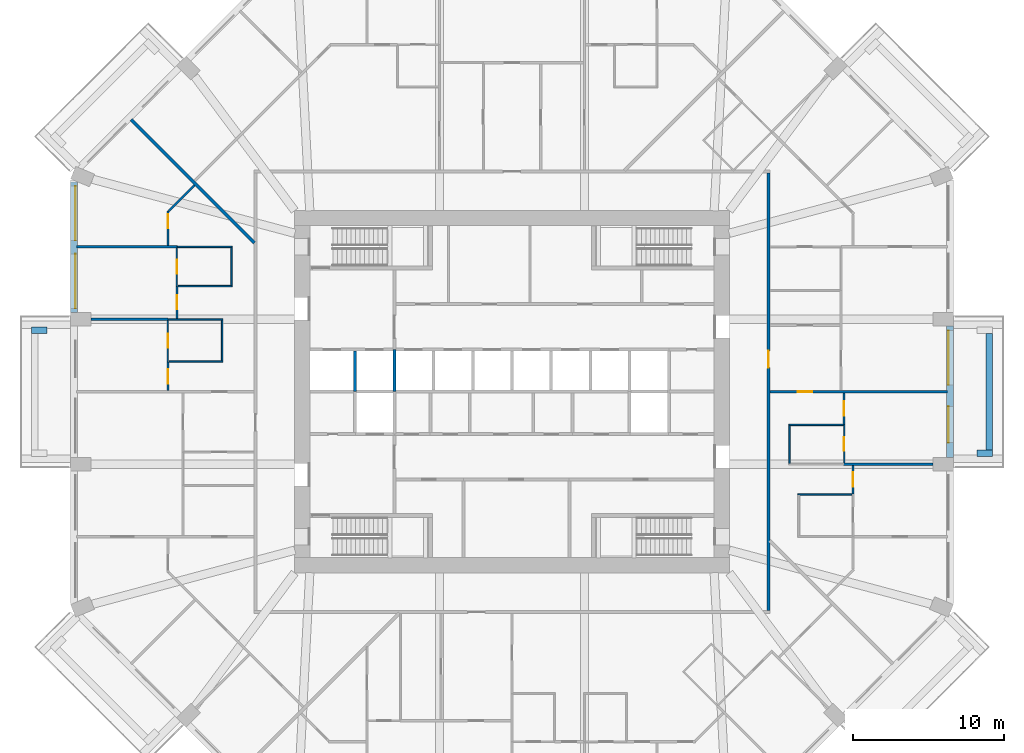
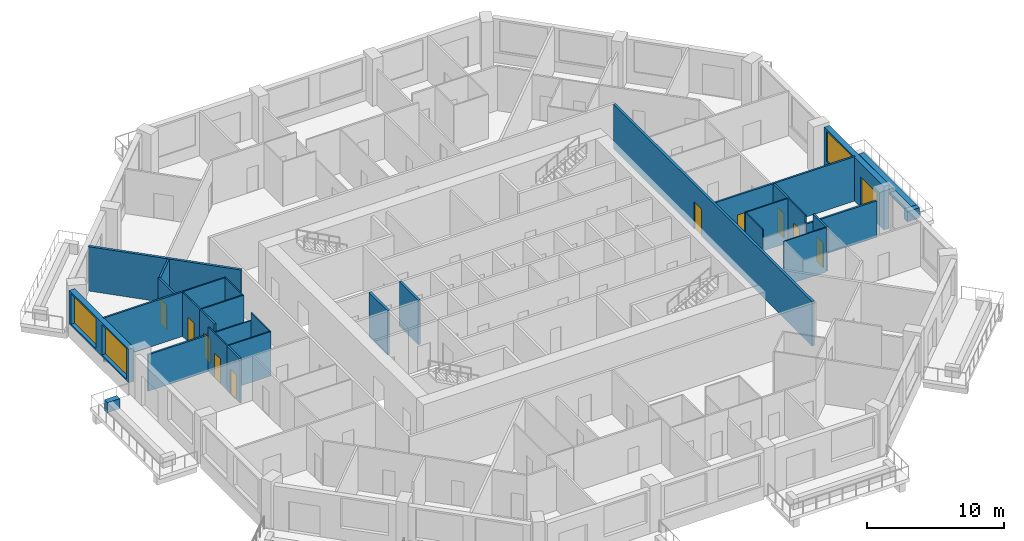
# One storey, part 7 of 13: 31 walls, 11 doors, 3 windows, 14 openings.
"""IFC4 building model written with IfcOpenShell, lengths in metres."""

from ifc_helpers import new_model, si_unit, direction, frame, frame_2d, origin, place, context, subcontext, project, spatial, rectangle, extrude, material, layer, layer_set, type_object, element, fill, save


model = new_model("IFC4")

# Units and contexts
model_context = context("Model", 3, precision=1e-05, world=origin(), true_north=direction((0.0, 1.0)))
body_context = subcontext(model_context, "Body", "Model", "MODEL_VIEW")
ifc_project = project(units=[si_unit("LENGTHUNIT", "METRE"), si_unit("AREAUNIT", "SQUARE_METRE"), si_unit("VOLUMEUNIT", "CUBIC_METRE"), si_unit("PLANEANGLEUNIT", "RADIAN"), si_unit("MASSUNIT", "GRAM", prefix="KILO")], contexts=[model_context])

# Site, building, storey
site_placement = place(None, origin())
site = spatial("IfcSite", under=ifc_project, at=site_placement, CompositionType="ELEMENT")
building_placement = place(site_placement, origin())
building = spatial("IfcBuilding", under=site, at=building_placement, Name="Msitu Wima Residences", CompositionType="ELEMENT")
storey_placement = place(building_placement, frame((0.0, 0.0, 71.699951171875)))
storey = spatial("IfcBuildingStorey", under=building, at=storey_placement, Name="L16", CompositionType="ELEMENT", Elevation=71.699951171875)

# Walls
ifc_material_1 = material(Name="Facing brick")
ifc_layer_1 = layer(ifc_material_1, 0.06494140625, Name="Facing brick")
ifc_material_2 = material(Name="Concrete C40/50", Category="concrete")
ifc_layer_2 = layer(ifc_material_2, 0.156005859375, Name="Concrete C40/50")
ifc_material_3 = material(Name="Waterproofing membrane")
ifc_layer_3 = layer(ifc_material_3, 0.00390625, Name="Waterproofing membrane")
ifc_material_4 = material(Name="Planting soil and planting")
ifc_layer_4 = layer(ifc_material_4, 0.22509765625, Name="Planting soil and planting")
ifc_layer_set_1 = layer_set([ifc_layer_1, ifc_layer_2, ifc_layer_3, ifc_layer_4], Name="Concrete C40/50")
wall_type_1 = type_object("IfcWallType", Name="Balcony planter PLANTER PL450", PredefinedType="USERDEFINED", material=ifc_layer_set_1)
wall_1_placement = place(storey_placement, frame((31.625, -3.85009765625, 0.0), z_axis=(0.0, 0.0, 1.0), x_axis=(0.0, 1.0, 0.0)))
element("IfcWall", 1, at=wall_1_placement, inside=storey, type_object=wall_type_1, Name="Balcony planter E1 L16", ObjectType="PLANTER", PredefinedType="USERDEFINED", context=body_context, shape_type="SweptSolid", body=[
    extrude(rectangle(XDim=7.7001953125, YDim=0.449951171875, at=frame_2d((3.85009765625, 0.0))), origin(), (0.0, 0.0, 1.0), 0.900146484375),
])
for number, where, z_axis, x_axis, name in (
    (2, (30.800048828125, -4.074951171875, 0.0), (0.0, 0.0, 1.0), (1.0, 0.0, 0.0), "Balcony planter E1 L16"),
    (3, (-30.800048828125, 4.074951171875, 0.0), (0.0, 0.0, 1.0), (-1.0, 0.0, 0.0), "Balcony planter W1 L16"),
):
    element("IfcWall", number, at=place(storey_placement, frame(where, z_axis=z_axis, x_axis=x_axis)), inside=storey, type_object=wall_type_1, Name=name, ObjectType="PLANTER", PredefinedType="USERDEFINED", context=body_context, shape_type="SweptSolid", body=[
        extrude(rectangle(XDim=1.050048828125, YDim=0.449951171875, at=frame_2d((0.52490234375, 0.0))), origin(), (0.0, 0.0, 1.0), 0.900146484375),
    ])

# Wall, openings, door, window
ifc_material_5 = material(Name="Brick (red buff mix)", Category="masonry")
ifc_layer_5 = layer(ifc_material_5, 0.449951171875)
ifc_layer_set_2 = layer_set([ifc_layer_5], Name="Brick (red buff mix)")
wall_type_2 = type_object("IfcWallType", Name="Brick infill wall BW450", PredefinedType="SOLIDWALL", material=ifc_layer_set_2)
wall_2_placement = place(storey_placement, frame((29.02490234375, -4.35009765625, 0.0), z_axis=(0.0, 0.0, 1.0), x_axis=(0.0, 1.0, 0.0)))
wall_2 = element("IfcWall", 4, at=wall_2_placement, inside=storey, type_object=wall_type_2, Name="Brick infill wall L16 E1", PredefinedType="SOLIDWALL", context=body_context, shape_type="SweptSolid", body=[
    extrude(rectangle(XDim=8.7001953125, YDim=0.449951171875, at=frame_2d((4.35009765625, 0.0))), origin(), (0.0, 0.0, 1.0), 3.900146484375),
])
opening_1_placement = place(wall_2_placement, frame((0.97509765625, 0.0, 0.0)))
opening_1 = element("IfcOpeningElement", 5, at=opening_1_placement, cuts=wall_2, Name="Opening D16-17.001", PredefinedType="OPENING", context=body_context, shape_type="SweptSolid", body=[
    extrude(rectangle(XDim=2.39990234375, YDim=2.699951171875, at=frame_2d((1.199951171875, 1.35009765625))), frame((0.0, 0.23486328125, 0.0), z_axis=(0.0, -1.0, 0.0), x_axis=(1.0, 0.0, 0.0)), (0.0, 0.0, 1.0), 0.469970703125),
])
opening_2_placement = place(wall_2_placement, frame((4.800048828125, 0.0, 1.050048828125)))
opening_2 = element("IfcOpeningElement", 6, at=opening_2_placement, cuts=wall_2, Name="Opening W16-17.003", PredefinedType="OPENING", context=body_context, shape_type="SweptSolid", body=[
    extrude(rectangle(XDim=3.60009765625, YDim=2.699951171875, at=frame_2d((1.800048828125, 1.35009765625))), frame((0.0, 0.23486328125, 0.0), z_axis=(0.0, -1.0, 0.0), x_axis=(1.0, 0.0, 0.0)), (0.0, 0.0, 1.0), 0.469970703125),
])
ifc_material_6 = material(Name="Anodised aluminium, bronze finish, clear low-emissivity double glazing", Category="aluminium")
door_type_1 = type_object("IfcDoorType", Name="Balcony door D2400x2700", OperationType="SLIDING_TO_LEFT", PredefinedType="DOOR", material=ifc_material_6)
door_1_placement = place(opening_1_placement, origin())
door_1 = element("IfcDoor", 7, at=door_1_placement, inside=storey, type_object=door_type_1, Name="Balcony door L16 E1", OperationType="SINGLE_SWING_LEFT", OverallHeight=2.699951171875, OverallWidth=2.39990234375, PredefinedType="DOOR", context=body_context, shape_type="SweptSolid", body=[
    extrude(rectangle(XDim=2.39990234375, YDim=2.699951171875, at=frame_2d((1.199951171875, 1.35009765625))), frame((0.0, 0.1298828125, 0.0), z_axis=(0.0, -1.0, 0.0), x_axis=(1.0, 0.0, 0.0)), (0.0, 0.0, 1.0), 0.050048828125),
])
fill(opening_1, door_1)
window_type = type_object("IfcWindowType", Name="Window W3600x2700", PartitioningType="DOUBLE_PANEL_VERTICAL", PredefinedType="WINDOW", material=ifc_material_6)
window_1_placement = place(opening_2_placement, origin())
window_1 = element("IfcWindow", 8, at=window_1_placement, inside=storey, type_object=window_type, Name="Window L16 E1.2", OverallHeight=2.699951171875, OverallWidth=3.60009765625, PartitioningType="SINGLE_PANEL", PredefinedType="WINDOW", context=body_context, shape_type="SweptSolid", body=[
    extrude(rectangle(XDim=3.60009765625, YDim=2.699951171875, at=frame_2d((1.800048828125, 1.35009765625))), frame((0.0, 0.135009765625, 0.0), z_axis=(0.0, -1.0, 0.0), x_axis=(1.0, 0.0, 0.0)), (0.0, 0.0, 1.0), 0.06005859375),
])
fill(opening_2, window_1)

# Wall, openings, windows
wall_3_placement = place(storey_placement, frame((-29.02490234375, 13.912841796875, 0.900146484375), z_axis=(0.0, 0.0, 1.0), x_axis=(0.0, -1.0, 0.0)))
wall_3 = element("IfcWall", 9, at=wall_3_placement, inside=storey, type_object=wall_type_2, Name="Brick infill wall L16 W0", PredefinedType="SOLIDWALL", context=body_context, shape_type="SweptSolid", body=[
    extrude(rectangle(XDim=8.662841796875, YDim=0.449951171875, at=frame_2d((4.33154296875, 0.0))), origin(), (0.0, 0.0, 1.0), 3.0),
])
opening_3_placement = place(wall_3_placement, frame((0.281494140625, 0.0, 0.14990234375)))
opening_3 = element("IfcOpeningElement", 10, at=opening_3_placement, cuts=wall_3, Name="Opening W16-17.026", PredefinedType="OPENING", context=body_context, shape_type="SweptSolid", body=[
    extrude(rectangle(XDim=3.60009765625, YDim=2.699951171875, at=frame_2d((1.800048828125, 1.35009765625))), frame((0.0, 0.23486328125, 0.0), z_axis=(0.0, -1.0, 0.0), x_axis=(1.0, 0.0, 0.0)), (0.0, 0.0, 1.0), 0.469970703125),
])
opening_4_placement = place(wall_3_placement, frame((4.781494140625, 0.0, 0.14990234375)))
opening_4 = element("IfcOpeningElement", 11, at=opening_4_placement, cuts=wall_3, Name="Opening W16-17.027", PredefinedType="OPENING", context=body_context, shape_type="SweptSolid", body=[
    extrude(rectangle(XDim=3.60009765625, YDim=2.699951171875, at=frame_2d((1.800048828125, 1.35009765625))), frame((0.0, 0.23486328125, 0.0), z_axis=(0.0, -1.0, 0.0), x_axis=(1.0, 0.0, 0.0)), (0.0, 0.0, 1.0), 0.469970703125),
])
window_2_placement = place(opening_3_placement, origin())
window_2 = element("IfcWindow", 12, at=window_2_placement, inside=storey, type_object=window_type, Name="Window L16 W0.1", OverallHeight=2.699951171875, OverallWidth=3.60009765625, PartitioningType="SINGLE_PANEL", PredefinedType="WINDOW", context=body_context, shape_type="SweptSolid", body=[
    extrude(rectangle(XDim=3.60009765625, YDim=2.699951171875, at=frame_2d((1.800048828125, 1.35009765625))), frame((0.0, 0.135009765625, 0.0), z_axis=(0.0, -1.0, 0.0), x_axis=(1.0, 0.0, 0.0)), (0.0, 0.0, 1.0), 0.06005859375),
])
fill(opening_3, window_2)
window_3_placement = place(opening_4_placement, origin())
window_3 = element("IfcWindow", 13, at=window_3_placement, inside=storey, type_object=window_type, Name="Window L16 W0.2", OverallHeight=2.699951171875, OverallWidth=3.60009765625, PartitioningType="SINGLE_PANEL", PredefinedType="WINDOW", context=body_context, shape_type="SweptSolid", body=[
    extrude(rectangle(XDim=3.60009765625, YDim=2.699951171875, at=frame_2d((1.800048828125, 1.35009765625))), frame((0.0, 0.135009765625, 0.0), z_axis=(0.0, -1.0, 0.0), x_axis=(1.0, 0.0, 0.0)), (0.0, 0.0, 1.0), 0.06005859375),
])
fill(opening_4, window_3)

# Wall, opening, door
ifc_material_7 = material(Name="Plaster")
ifc_layer_6 = layer(ifc_material_7, 0.011962890625, Name="Plaster")
ifc_material_8 = material(Name="Concrete blockwork", Category="masonry")
ifc_layer_7 = layer(ifc_material_8, 0.176025390625, Name="Concrete blockwork")
ifc_layer_8 = layer(ifc_material_7, 0.011962890625, Name="Plaster")
ifc_layer_set_3 = layer_set([ifc_layer_6, ifc_layer_7, ifc_layer_8], Name="Concrete blockwork")
wall_type_3 = type_object("IfcWallType", Name="Corridor wall FW200", PredefinedType="PARTITIONING", material=ifc_layer_set_3)
wall_4_placement = place(storey_placement, frame((17.0, -14.5, 0.0), z_axis=(0.0, 0.0, 1.0), x_axis=(0.0, 1.0, 0.0)))
wall_4 = element("IfcWall", 14, at=wall_4_placement, inside=storey, type_object=wall_type_3, Name="Corridor wall", PredefinedType="PARTITIONING", context=body_context, shape_type="SweptSolid", body=[
    extrude(rectangle(XDim=29.0, YDim=0.199951171875, at=frame_2d((14.5, 0.0))), origin(), (0.0, 0.0, 1.0), 3.949951171875),
])
opening_5_placement = place(wall_4_placement, frame((16.10009765625, 0.0, 0.0)))
opening_5 = element("IfcOpeningElement", 15, at=opening_5_placement, cuts=wall_4, Name="Opening D16-17.014", PredefinedType="OPENING", context=body_context, shape_type="SweptSolid", body=[
    extrude(rectangle(XDim=1.10009765625, YDim=2.39990234375, at=frame_2d((0.550048828125, 1.199951171875))), frame((0.0, 0.10986328125, 0.0), z_axis=(0.0, -1.0, 0.0), x_axis=(1.0, 0.0, 0.0)), (0.0, 0.0, 1.0), 0.219970703125),
])
ifc_material_9 = material(Name="Timber flush door, fire resisting, self-closing", Category="wood")
door_type_2 = type_object("IfcDoorType", Name="Flat entrance door D01 1100x2400", OperationType="SINGLE_SWING_LEFT", PredefinedType="DOOR", material=ifc_material_9)
door_2_placement = place(opening_5_placement, origin())
door_2 = element("IfcDoor", 16, at=door_2_placement, inside=storey, type_object=door_type_2, Name="Flat entrance door", OperationType="SINGLE_SWING_RIGHT", OverallHeight=2.39990234375, OverallWidth=1.10009765625, PredefinedType="DOOR", context=body_context, shape_type="SweptSolid", body=[
    extrude(rectangle(XDim=1.10009765625, YDim=2.39990234375, at=frame_2d((0.550048828125, 1.199951171875))), frame((0.0, 0.02490234375, 0.0), z_axis=(0.0, -1.0, 0.0), x_axis=(1.0, 0.0, 0.0)), (0.0, 0.0, 1.0), 0.050048828125),
])
fill(opening_5, door_2)

# Walls
ifc_layer_9 = layer(ifc_material_7, 0.011962890625, Name="Plaster")
ifc_layer_10 = layer(ifc_material_8, 0.1259765625, Name="Concrete blockwork")
ifc_layer_11 = layer(ifc_material_7, 0.011962890625, Name="Plaster")
ifc_layer_set_4 = layer_set([ifc_layer_9, ifc_layer_10, ifc_layer_11], Name="Concrete blockwork")
wall_type_4 = type_object("IfcWallType", Name="Partition PW150", PredefinedType="PARTITIONING", material=ifc_layer_set_4)
wall_5_placement = place(storey_placement, frame((-27.89990234375, 4.800048828125, 0.0), z_axis=(0.0, 0.0, 1.0), x_axis=(1.0, 0.0, 0.0)))
element("IfcWall", 17, at=wall_5_placement, inside=storey, type_object=wall_type_4, Name="Partition", PredefinedType="PARTITIONING", context=body_context, shape_type="SweptSolid", body=[
    extrude(rectangle(XDim=5.119873046875, YDim=0.14990234375, at=frame_2d((2.56005859375, 0.0))), origin(), (0.0, 0.0, 1.0), 3.25),
])
wall_6_placement = place(storey_placement, frame((-28.85498046875, 9.60009765625, 0.0), z_axis=(0.0, 0.0, 1.0), x_axis=(1.0, 0.0, 0.0)))
element("IfcWall", 18, at=wall_6_placement, inside=storey, type_object=wall_type_4, Name="Partition", PredefinedType="PARTITIONING", context=body_context, shape_type="SweptSolid", body=[
    extrude(rectangle(XDim=6.675048828125, YDim=0.14990234375, at=frame_2d((3.33740234375, 0.0))), origin(), (0.0, 0.0, 1.0), 3.949951171875),
])

# Wall, opening, door
wall_7_placement = place(storey_placement, frame((-22.800048828125, 0.074951171875, 0.0), z_axis=(0.0, 0.0, 1.0), x_axis=(0.0, 1.0, 0.0)))
wall_7 = element("IfcWall", 19, at=wall_7_placement, inside=storey, type_object=wall_type_4, Name="Partition", PredefinedType="PARTITIONING", context=body_context, shape_type="SweptSolid", body=[
    extrude(rectangle(XDim=1.905029296875, YDim=0.14990234375, at=frame_2d((0.95263671875, 0.0))), origin(), (0.0, 0.0, 1.0), 3.949951171875),
])
opening_6_placement = place(wall_7_placement, frame((0.449951171875, 0.0, 0.0)))
opening_6 = element("IfcOpeningElement", 20, at=opening_6_placement, cuts=wall_7, Name="Opening D16-17.049", PredefinedType="OPENING", context=body_context, shape_type="SweptSolid", body=[
    extrude(rectangle(XDim=0.949951171875, YDim=2.199951171875, at=frame_2d((0.47509765625, 1.10009765625))), frame((0.0, 0.0849609375, 0.0), z_axis=(0.0, -1.0, 0.0), x_axis=(1.0, 0.0, 0.0)), (0.0, 0.0, 1.0), 0.169921875),
])
ifc_material_10 = material(Name="Timber flush door", Category="wood")
door_type_3 = type_object("IfcDoorType", Name="Room door D12 950x2200", OperationType="SINGLE_SWING_LEFT", PredefinedType="DOOR", material=ifc_material_10)
door_3_placement = place(opening_6_placement, origin())
door_3 = element("IfcDoor", 21, at=door_3_placement, inside=storey, type_object=door_type_3, Name="Room door", OperationType="SINGLE_SWING_LEFT", OverallHeight=2.199951171875, OverallWidth=0.949951171875, PredefinedType="DOOR", context=body_context, shape_type="SweptSolid", body=[
    extrude(rectangle(XDim=0.949951171875, YDim=2.199951171875, at=frame_2d((0.47509765625, 1.10009765625))), frame((0.0, 0.02490234375, 0.0), z_axis=(0.0, -1.0, 0.0), x_axis=(1.0, 0.0, 0.0)), (0.0, 0.0, 1.0), 0.050048828125),
])
fill(opening_6, door_3)

wall_8_placement = place(storey_placement, frame((-22.800048828125, 9.675048828125, 0.0), z_axis=(0.0, 0.0, 1.0), x_axis=(0.0, 1.0, 0.0)))
wall_8 = element("IfcWall", 22, at=wall_8_placement, inside=storey, type_object=wall_type_4, Name="Partition", PredefinedType="PARTITIONING", context=body_context, shape_type="SweptSolid", body=[
    extrude(rectangle(XDim=2.314697265625, YDim=0.14990234375, at=frame_2d((1.1572265625, 0.0))), origin(), (0.0, 0.0, 1.0), 3.949951171875),
])
opening_7_placement = place(wall_8_placement, frame((1.14990234375, 0.0, 0.0)))
opening_7 = element("IfcOpeningElement", 23, at=opening_7_placement, cuts=wall_8, Name="Opening D16-17.059", PredefinedType="OPENING", context=body_context, shape_type="SweptSolid", body=[
    extrude(rectangle(XDim=0.949951171875, YDim=2.199951171875, at=frame_2d((0.47509765625, 1.10009765625))), frame((0.0, 0.0849609375, 0.0), z_axis=(0.0, -1.0, 0.0), x_axis=(1.0, 0.0, 0.0)), (0.0, 0.0, 1.0), 0.169921875),
])
door_4_placement = place(opening_7_placement, origin())
door_4 = element("IfcDoor", 24, at=door_4_placement, inside=storey, type_object=door_type_3, Name="Room door", OperationType="SINGLE_SWING_LEFT", OverallHeight=2.199951171875, OverallWidth=0.949951171875, PredefinedType="DOOR", context=body_context, shape_type="SweptSolid", body=[
    extrude(rectangle(XDim=0.949951171875, YDim=2.199951171875, at=frame_2d((0.47509765625, 1.10009765625))), frame((0.0, 0.02490234375, 0.0), z_axis=(0.0, -1.0, 0.0), x_axis=(1.0, 0.0, 0.0)), (0.0, 0.0, 1.0), 0.050048828125),
])
fill(opening_7, door_4)

# Wall
wall_9_placement = place(storey_placement, frame((-22.7470703125, 11.9677734375, 0.0), z_axis=(0.0, 0.0, 1.0), x_axis=(0.707106781187, 0.707106781187, 0.0)))
element("IfcWall", 25, at=wall_9_placement, inside=storey, type_object=wall_type_4, Name="Partition", PredefinedType="PARTITIONING", context=body_context, shape_type="SweptSolid", body=[
    extrude(rectangle(XDim=2.430908203125, YDim=0.14990234375, at=frame_2d((1.21533203125, 0.0))), origin(), (0.0, 0.0, 1.0), 3.949951171875),
])

# Wall, opening, door
wall_10_placement = place(storey_placement, frame((-22.199951171875, 4.85009765625, 0.0), z_axis=(0.0, 0.0, 1.0), x_axis=(0.0, 1.0, 0.0)))
wall_10 = element("IfcWall", 26, at=wall_10_placement, inside=storey, type_object=wall_type_4, Name="Partition", PredefinedType="PARTITIONING", context=body_context, shape_type="SweptSolid", body=[
    extrude(rectangle(XDim=2.1298828125, YDim=0.14990234375, at=frame_2d((1.06494140625, 0.0))), origin(), (0.0, 0.0, 1.0), 3.949951171875),
])
opening_8_placement = place(wall_10_placement, frame((0.60009765625, 0.0, 0.0)))
opening_8 = element("IfcOpeningElement", 27, at=opening_8_placement, cuts=wall_10, Name="Opening D16-17.051", PredefinedType="OPENING", context=body_context, shape_type="SweptSolid", body=[
    extrude(rectangle(XDim=0.949951171875, YDim=2.199951171875, at=frame_2d((0.47509765625, 1.10009765625))), frame((0.0, 0.0849609375, 0.0), z_axis=(0.0, -1.0, 0.0), x_axis=(1.0, 0.0, 0.0)), (0.0, 0.0, 1.0), 0.169921875),
])
door_5_placement = place(opening_8_placement, origin())
door_5 = element("IfcDoor", 28, at=door_5_placement, inside=storey, type_object=door_type_3, Name="Room door", OperationType="SINGLE_SWING_LEFT", OverallHeight=2.199951171875, OverallWidth=0.949951171875, PredefinedType="DOOR", context=body_context, shape_type="SweptSolid", body=[
    extrude(rectangle(XDim=0.949951171875, YDim=2.199951171875, at=frame_2d((0.47509765625, 1.10009765625))), frame((0.0, 0.02490234375, 0.0), z_axis=(0.0, -1.0, 0.0), x_axis=(1.0, 0.0, 0.0)), (0.0, 0.0, 1.0), 0.050048828125),
])
fill(opening_8, door_5)

wall_11_placement = place(storey_placement, frame((17.10009765625, 0.0, 0.0), z_axis=(0.0, 0.0, 1.0), x_axis=(1.0, 0.0, 0.0)))
wall_11 = element("IfcWall", 29, at=wall_11_placement, inside=storey, type_object=wall_type_4, Name="Partition", PredefinedType="PARTITIONING", context=body_context, shape_type="SweptSolid", body=[
    extrude(rectangle(XDim=11.7548828125, YDim=0.14990234375, at=frame_2d((5.87744140625, 0.0))), origin(), (0.0, 0.0, 1.0), 3.949951171875),
])
opening_9_placement = place(wall_11_placement, frame((1.85009765625, 0.0, 0.0)))
opening_9 = element("IfcOpeningElement", 30, at=opening_9_placement, cuts=wall_11, Name="Opening D16-17.076", PredefinedType="OPENING", context=body_context, shape_type="SweptSolid", body=[
    extrude(rectangle(XDim=0.949951171875, YDim=2.199951171875, at=frame_2d((0.47509765625, 1.10009765625))), frame((0.0, 0.0849609375, 0.0), z_axis=(0.0, -1.0, 0.0), x_axis=(1.0, 0.0, 0.0)), (0.0, 0.0, 1.0), 0.169921875),
])
door_6_placement = place(opening_9_placement, origin())
door_6 = element("IfcDoor", 31, at=door_6_placement, inside=storey, type_object=door_type_3, Name="Room door", OperationType="SINGLE_SWING_RIGHT", OverallHeight=2.199951171875, OverallWidth=0.949951171875, PredefinedType="DOOR", context=body_context, shape_type="SweptSolid", body=[
    extrude(rectangle(XDim=0.949951171875, YDim=2.199951171875, at=frame_2d((0.47509765625, 1.10009765625))), frame((0.0, 0.02490234375, 0.0), z_axis=(0.0, -1.0, 0.0), x_axis=(1.0, 0.0, 0.0)), (0.0, 0.0, 1.0), 0.050048828125),
])
fill(opening_9, door_6)

# Wall
wall_12_placement = place(storey_placement, frame((21.97998046875, -4.800048828125, 0.0), z_axis=(0.0, 0.0, 1.0), x_axis=(1.0, 0.0, 0.0)))
element("IfcWall", 32, at=wall_12_placement, inside=storey, type_object=wall_type_4, Name="Partition", PredefinedType="PARTITIONING", context=body_context, shape_type="SweptSolid", body=[
    extrude(rectangle(XDim=5.919921875, YDim=0.14990234375, at=frame_2d((2.9599609375, 0.0))), origin(), (0.0, 0.0, 1.0), 3.25),
])

# Wall, opening, door
wall_13_placement = place(storey_placement, frame((22.0, -2.179931640625, 0.0), z_axis=(0.0, 0.0, 1.0), x_axis=(0.0, 1.0, 0.0)))
wall_13 = element("IfcWall", 33, at=wall_13_placement, inside=storey, type_object=wall_type_4, Name="Partition", PredefinedType="PARTITIONING", context=body_context, shape_type="SweptSolid", body=[
    extrude(rectangle(XDim=2.10498046875, YDim=0.14990234375, at=frame_2d((1.052490234375, 0.0))), origin(), (0.0, 0.0, 1.0), 3.949951171875),
])
opening_10_placement = place(wall_13_placement, frame((0.60009765625, 0.0, 0.0)))
opening_10 = element("IfcOpeningElement", 34, at=opening_10_placement, cuts=wall_13, Name="Opening D16-17.082", PredefinedType="OPENING", context=body_context, shape_type="SweptSolid", body=[
    extrude(rectangle(XDim=0.949951171875, YDim=2.199951171875, at=frame_2d((0.47509765625, 1.10009765625))), frame((0.0, 0.0849609375, 0.0), z_axis=(0.0, -1.0, 0.0), x_axis=(1.0, 0.0, 0.0)), (0.0, 0.0, 1.0), 0.169921875),
])
door_7_placement = place(opening_10_placement, origin())
door_7 = element("IfcDoor", 35, at=door_7_placement, inside=storey, type_object=door_type_3, Name="Room door", OperationType="SINGLE_SWING_LEFT", OverallHeight=2.199951171875, OverallWidth=0.949951171875, PredefinedType="DOOR", context=body_context, shape_type="SweptSolid", body=[
    extrude(rectangle(XDim=0.949951171875, YDim=2.199951171875, at=frame_2d((0.47509765625, 1.10009765625))), frame((0.0, 0.02490234375, 0.0), z_axis=(0.0, -1.0, 0.0), x_axis=(1.0, 0.0, 0.0)), (0.0, 0.0, 1.0), 0.050048828125),
])
fill(opening_10, door_7)

wall_14_placement = place(storey_placement, frame((22.60009765625, -6.780029296875, 0.0), z_axis=(0.0, 0.0, 1.0), x_axis=(0.0, 1.0, 0.0)))
wall_14 = element("IfcWall", 36, at=wall_14_placement, inside=storey, type_object=wall_type_4, Name="Partition", PredefinedType="PARTITIONING", context=body_context, shape_type="SweptSolid", body=[
    extrude(rectangle(XDim=1.905029296875, YDim=0.14990234375, at=frame_2d((0.95263671875, 0.0))), origin(), (0.0, 0.0, 1.0), 3.949951171875),
])
opening_11_placement = place(wall_14_placement, frame((0.5, 0.0, 0.0)))
opening_11 = element("IfcOpeningElement", 37, at=opening_11_placement, cuts=wall_14, Name="Opening D16-17.079", PredefinedType="OPENING", context=body_context, shape_type="SweptSolid", body=[
    extrude(rectangle(XDim=0.949951171875, YDim=2.199951171875, at=frame_2d((0.47509765625, 1.10009765625))), frame((0.0, 0.0849609375, 0.0), z_axis=(0.0, -1.0, 0.0), x_axis=(1.0, 0.0, 0.0)), (0.0, 0.0, 1.0), 0.169921875),
])
door_8_placement = place(opening_11_placement, origin())
door_8 = element("IfcDoor", 38, at=door_8_placement, inside=storey, type_object=door_type_3, Name="Room door", OperationType="SINGLE_SWING_LEFT", OverallHeight=2.199951171875, OverallWidth=0.949951171875, PredefinedType="DOOR", context=body_context, shape_type="SweptSolid", body=[
    extrude(rectangle(XDim=0.949951171875, YDim=2.199951171875, at=frame_2d((0.47509765625, 1.10009765625))), frame((0.0, 0.02490234375, 0.0), z_axis=(0.0, -1.0, 0.0), x_axis=(1.0, 0.0, 0.0)), (0.0, 0.0, 1.0), 0.050048828125),
])
fill(opening_11, door_8)

# Walls
ifc_layer_12 = layer(ifc_material_7, 0.011962890625, Name="Plaster")
ifc_material_11 = material(Name="Dense concrete blockwork", Category="masonry")
ifc_layer_13 = layer(ifc_material_11, 0.176025390625, Name="Dense concrete blockwork")
ifc_layer_14 = layer(ifc_material_7, 0.011962890625, Name="Plaster")
ifc_layer_set_5 = layer_set([ifc_layer_12, ifc_layer_13, ifc_layer_14], Name="Dense concrete blockwork")
wall_type_5 = type_object("IfcWallType", Name="Party wall PW200", PredefinedType="PARTITIONING", material=ifc_layer_set_5)
wall_15_placement = place(storey_placement, frame((-25.23876953125, 18.038818359375, 0.0), z_axis=(0.0, 0.0, 1.0), x_axis=(0.707096213553, -0.707117348662, 0.0)))
element("IfcWall", 39, at=wall_15_placement, inside=storey, type_object=wall_type_5, Name="Party wall", PredefinedType="PARTITIONING", context=body_context, shape_type="SweptSolid", body=[
    extrude(rectangle(XDim=11.551513671875, YDim=0.199951171875, at=frame_2d((5.77587890625, 0.0))), origin(), (0.0, 0.0, 1.0), 3.949951171875),
])
ifc_material_12 = material(Name="Fire-rated board")
ifc_layer_15 = layer(ifc_material_12, 0.02490234375, Name="Fire-rated board")
ifc_material_13 = material(Name="Light-gauge stud framing with mineral wool")
ifc_layer_16 = layer(ifc_material_13, 0.14990234375, Name="Light-gauge stud framing with mineral wool")
ifc_layer_17 = layer(ifc_material_12, 0.02490234375, Name="Fire-rated board")
ifc_layer_set_6 = layer_set([ifc_layer_15, ifc_layer_16, ifc_layer_17], Name="Light-gauge stud framing with mineral wool")
wall_type_6 = type_object("IfcWallType", Name="Shaft wall SH200", PredefinedType="PARTITIONING", material=ifc_layer_set_6)
wall_16_placement = place(storey_placement, frame((-10.39990234375, 0.0, 0.0), z_axis=(0.0, 0.0, 1.0), x_axis=(0.0, 1.0, 0.0)))
element("IfcWall", 40, at=wall_16_placement, inside=storey, type_object=wall_type_6, Name="Shaft wall", PredefinedType="PARTITIONING", context=body_context, shape_type="SweptSolid", body=[
    extrude(rectangle(XDim=2.699951171875, YDim=0.199951171875, at=frame_2d((1.35009765625, 0.0))), origin(), (0.0, 0.0, 1.0), 3.949951171875),
])
wall_17_placement = place(storey_placement, frame((-7.800048828125, 0.0, 0.0), z_axis=(0.0, 0.0, 1.0), x_axis=(0.0, 1.0, 0.0)))
element("IfcWall", 41, at=wall_17_placement, inside=storey, type_object=wall_type_6, Name="Shaft wall", PredefinedType="PARTITIONING", context=body_context, shape_type="SweptSolid", body=[
    extrude(rectangle(XDim=2.800048828125, YDim=0.199951171875, at=frame_2d((1.39990234375, 0.0))), origin(), (0.0, 0.0, 1.0), 3.949951171875),
])
ifc_material_14 = material(Name="Ceramic tiles")
ifc_layer_18 = layer(ifc_material_14, 0.008056640625, Name="Ceramic tiles")
ifc_material_15 = material(Name="Moisture-resistant board")
ifc_layer_19 = layer(ifc_material_15, 0.012451171875, Name="Moisture-resistant board")
ifc_layer_20 = layer(ifc_material_13, 0.06689453125, Name="Light-gauge stud framing with mineral wool")
ifc_layer_21 = layer(ifc_material_15, 0.012451171875, Name="Moisture-resistant board")
ifc_layer_set_7 = layer_set([ifc_layer_18, ifc_layer_19, ifc_layer_20, ifc_layer_21], Name="Light-gauge stud framing with mineral wool")
wall_type_7 = type_object("IfcWallType", Name="Wet wall PW100", PredefinedType="PARTITIONING", material=ifc_layer_set_7)
wall_18_placement = place(storey_placement, frame((-22.780029296875, 4.800048828125, 0.0), z_axis=(0.0, 0.0, 1.0), x_axis=(1.0, 0.0, 0.0)))
element("IfcWall", 42, at=wall_18_placement, inside=storey, type_object=wall_type_7, Name="Wet wall", PredefinedType="PARTITIONING", context=body_context, shape_type="SweptSolid", body=[
    extrude(rectangle(XDim=3.630126953125, YDim=0.10009765625, at=frame_2d((1.81494140625, 0.0))), origin(), (0.0, 0.0, 1.0), 3.25),
])

# Wall, opening, door
wall_19_placement = place(storey_placement, frame((-22.800048828125, 1.97998046875, 0.0), z_axis=(0.0, 0.0, 1.0), x_axis=(0.0, 1.0, 0.0)))
wall_19 = element("IfcWall", 43, at=wall_19_placement, inside=storey, type_object=wall_type_7, Name="Wet wall", PredefinedType="PARTITIONING", context=body_context, shape_type="SweptSolid", body=[
    extrude(rectangle(XDim=2.7451171875, YDim=0.10009765625, at=frame_2d((1.37255859375, 0.0))), origin(), (0.0, 0.0, 1.0), 3.949951171875),
])
opening_12_placement = place(wall_19_placement, frame((0.949951171875, 0.0, 0.0)))
opening_12 = element("IfcOpeningElement", 44, at=opening_12_placement, cuts=wall_19, Name="Opening D16-17.050", PredefinedType="OPENING", context=body_context, shape_type="SweptSolid", body=[
    extrude(rectangle(XDim=0.89990234375, YDim=2.199951171875, at=frame_2d((0.449951171875, 1.10009765625))), frame((0.0, 0.06005859375, 0.0), z_axis=(0.0, -1.0, 0.0), x_axis=(1.0, 0.0, 0.0)), (0.0, 0.0, 1.0), 0.1201171875),
])
ifc_material_16 = material(Name="Timber flush door, moisture resistant", Category="wood")
door_type_4 = type_object("IfcDoorType", Name="Bathroom door D03 900x2200", OperationType="SINGLE_SWING_LEFT", PredefinedType="DOOR", material=ifc_material_16)
door_9_placement = place(opening_12_placement, origin())
door_9 = element("IfcDoor", 45, at=door_9_placement, inside=storey, type_object=door_type_4, Name="Bathroom door", OperationType="SINGLE_SWING_RIGHT", OverallHeight=2.199951171875, OverallWidth=0.89990234375, PredefinedType="DOOR", context=body_context, shape_type="SweptSolid", body=[
    extrude(rectangle(XDim=0.89990234375, YDim=2.199951171875, at=frame_2d((0.449951171875, 1.10009765625))), frame((0.0, 0.02490234375, 0.0), z_axis=(0.0, -1.0, 0.0), x_axis=(1.0, 0.0, 0.0)), (0.0, 0.0, 1.0), 0.050048828125),
])
fill(opening_12, door_9)

# Walls
wall_20_placement = place(storey_placement, frame((-22.72509765625, 2.0, 0.0), z_axis=(0.0, 0.0, 1.0), x_axis=(1.0, 0.0, 0.0)))
element("IfcWall", 46, at=wall_20_placement, inside=storey, type_object=wall_type_7, Name="Wet wall", PredefinedType="PARTITIONING", context=body_context, shape_type="SweptSolid", body=[
    extrude(rectangle(XDim=3.5751953125, YDim=0.10009765625, at=frame_2d((1.78759765625, 0.0))), origin(), (0.0, 0.0, 1.0), 3.949951171875),
])
wall_21_placement = place(storey_placement, frame((-22.179931640625, 9.60009765625, 0.0), z_axis=(0.0, 0.0, 1.0), x_axis=(1.0, 0.0, 0.0)))
element("IfcWall", 47, at=wall_21_placement, inside=storey, type_object=wall_type_7, Name="Wet wall", PredefinedType="PARTITIONING", context=body_context, shape_type="SweptSolid", body=[
    extrude(rectangle(XDim=3.6298828125, YDim=0.10009765625, at=frame_2d((1.81494140625, 0.0))), origin(), (0.0, 0.0, 1.0), 3.949951171875),
])

# Wall, opening, door
wall_22_placement = place(storey_placement, frame((-22.199951171875, 6.97998046875, 0.0), z_axis=(0.0, 0.0, 1.0), x_axis=(0.0, 1.0, 0.0)))
wall_22 = element("IfcWall", 48, at=wall_22_placement, inside=storey, type_object=wall_type_7, Name="Wet wall", PredefinedType="PARTITIONING", context=body_context, shape_type="SweptSolid", body=[
    extrude(rectangle(XDim=2.544921875, YDim=0.10009765625, at=frame_2d((1.2724609375, 0.0))), origin(), (0.0, 0.0, 1.0), 3.949951171875),
])
opening_13_placement = place(wall_22_placement, frame((0.85009765625, 0.0, 0.0)))
opening_13 = element("IfcOpeningElement", 49, at=opening_13_placement, cuts=wall_22, Name="Opening D16-17.052", PredefinedType="OPENING", context=body_context, shape_type="SweptSolid", body=[
    extrude(rectangle(XDim=0.89990234375, YDim=2.199951171875, at=frame_2d((0.449951171875, 1.10009765625))), frame((0.0, 0.06005859375, 0.0), z_axis=(0.0, -1.0, 0.0), x_axis=(1.0, 0.0, 0.0)), (0.0, 0.0, 1.0), 0.1201171875),
])
door_10_placement = place(opening_13_placement, origin())
door_10 = element("IfcDoor", 50, at=door_10_placement, inside=storey, type_object=door_type_4, Name="Bathroom door", OperationType="SINGLE_SWING_RIGHT", OverallHeight=2.199951171875, OverallWidth=0.89990234375, PredefinedType="DOOR", context=body_context, shape_type="SweptSolid", body=[
    extrude(rectangle(XDim=0.89990234375, YDim=2.199951171875, at=frame_2d((0.449951171875, 1.10009765625))), frame((0.0, 0.02490234375, 0.0), z_axis=(0.0, -1.0, 0.0), x_axis=(1.0, 0.0, 0.0)), (0.0, 0.0, 1.0), 0.050048828125),
])
fill(opening_13, door_10)

# Walls
wall_23_placement = place(storey_placement, frame((-22.125, 7.0, 0.0), z_axis=(0.0, 0.0, 1.0), x_axis=(1.0, 0.0, 0.0)))
element("IfcWall", 51, at=wall_23_placement, inside=storey, type_object=wall_type_7, Name="Wet wall", PredefinedType="PARTITIONING", context=body_context, shape_type="SweptSolid", body=[
    extrude(rectangle(XDim=3.574951171875, YDim=0.10009765625, at=frame_2d((1.78759765625, 0.0))), origin(), (0.0, 0.0, 1.0), 3.949951171875),
])
wall_24_placement = place(storey_placement, frame((-19.199951171875, 2.050048828125, 0.0), z_axis=(0.0, 0.0, 1.0), x_axis=(0.0, 1.0, 0.0)))
element("IfcWall", 52, at=wall_24_placement, inside=storey, type_object=wall_type_7, Name="Wet wall", PredefinedType="PARTITIONING", context=body_context, shape_type="SweptSolid", body=[
    extrude(rectangle(XDim=2.699951171875, YDim=0.10009765625, at=frame_2d((1.35009765625, 0.0))), origin(), (0.0, 0.0, 1.0), 3.949951171875),
])
for number, where, z_axis, x_axis, name in (
    (53, (-18.60009765625, 7.050048828125, 0.0), (0.0, 0.0, 1.0), (0.0, 1.0, 0.0), "Wet wall"),
    (54, (18.39990234375, -4.75, 0.0), (0.0, 0.0, 1.0), (0.0, 1.0, 0.0), "Wet wall"),
):
    element("IfcWall", number, at=place(storey_placement, frame(where, z_axis=z_axis, x_axis=x_axis)), inside=storey, type_object=wall_type_7, Name=name, PredefinedType="PARTITIONING", context=body_context, shape_type="SweptSolid", body=[
        extrude(rectangle(XDim=2.5, YDim=0.10009765625, at=frame_2d((1.25, 0.0))), origin(), (0.0, 0.0, 1.0), 3.949951171875),
    ])
wall_25_placement = place(storey_placement, frame((18.35009765625, -2.199951171875, 0.0), z_axis=(0.0, 0.0, 1.0), x_axis=(1.0, 0.0, 0.0)))
element("IfcWall", 55, at=wall_25_placement, inside=storey, type_object=wall_type_7, Name="Wet wall", PredefinedType="PARTITIONING", context=body_context, shape_type="SweptSolid", body=[
    extrude(rectangle(XDim=3.599853515625, YDim=0.10009765625, at=frame_2d((1.7998046875, 0.0))), origin(), (0.0, 0.0, 1.0), 3.949951171875),
])
wall_26_placement = place(storey_placement, frame((18.949951171875, -6.800048828125, 0.0), z_axis=(0.0, 0.0, 1.0), x_axis=(1.0, 0.0, 0.0)))
element("IfcWall", 56, at=wall_26_placement, inside=storey, type_object=wall_type_7, Name="Wet wall", PredefinedType="PARTITIONING", context=body_context, shape_type="SweptSolid", body=[
    extrude(rectangle(XDim=3.574951171875, YDim=0.10009765625, at=frame_2d((1.78759765625, 0.0))), origin(), (0.0, 0.0, 1.0), 3.949951171875),
])

# Wall, opening, door
wall_27_placement = place(storey_placement, frame((22.0, -4.72509765625, 0.0), z_axis=(0.0, 0.0, 1.0), x_axis=(0.0, 1.0, 0.0)))
wall_27 = element("IfcWall", 57, at=wall_27_placement, inside=storey, type_object=wall_type_7, Name="Wet wall", PredefinedType="PARTITIONING", context=body_context, shape_type="SweptSolid", body=[
    extrude(rectangle(XDim=2.545166015625, YDim=0.10009765625, at=frame_2d((1.2724609375, 0.0))), origin(), (0.0, 0.0, 1.0), 3.949951171875),
])
opening_14_placement = place(wall_27_placement, frame((0.800048828125, 0.0, 0.0)))
opening_14 = element("IfcOpeningElement", 58, at=opening_14_placement, cuts=wall_27, Name="Opening D16-17.083", PredefinedType="OPENING", context=body_context, shape_type="SweptSolid", body=[
    extrude(rectangle(XDim=0.89990234375, YDim=2.199951171875, at=frame_2d((0.449951171875, 1.10009765625))), frame((0.0, 0.06005859375, 0.0), z_axis=(0.0, -1.0, 0.0), x_axis=(1.0, 0.0, 0.0)), (0.0, 0.0, 1.0), 0.1201171875),
])
door_11_placement = place(opening_14_placement, origin())
door_11 = element("IfcDoor", 59, at=door_11_placement, inside=storey, type_object=door_type_4, Name="Bathroom door", OperationType="SINGLE_SWING_RIGHT", OverallHeight=2.199951171875, OverallWidth=0.89990234375, PredefinedType="DOOR", context=body_context, shape_type="SweptSolid", body=[
    extrude(rectangle(XDim=0.89990234375, YDim=2.199951171875, at=frame_2d((0.449951171875, 1.10009765625))), frame((0.0, 0.02490234375, 0.0), z_axis=(0.0, -1.0, 0.0), x_axis=(1.0, 0.0, 0.0)), (0.0, 0.0, 1.0), 0.050048828125),
])
fill(opening_14, door_11)

save(model, "model.ifc")
